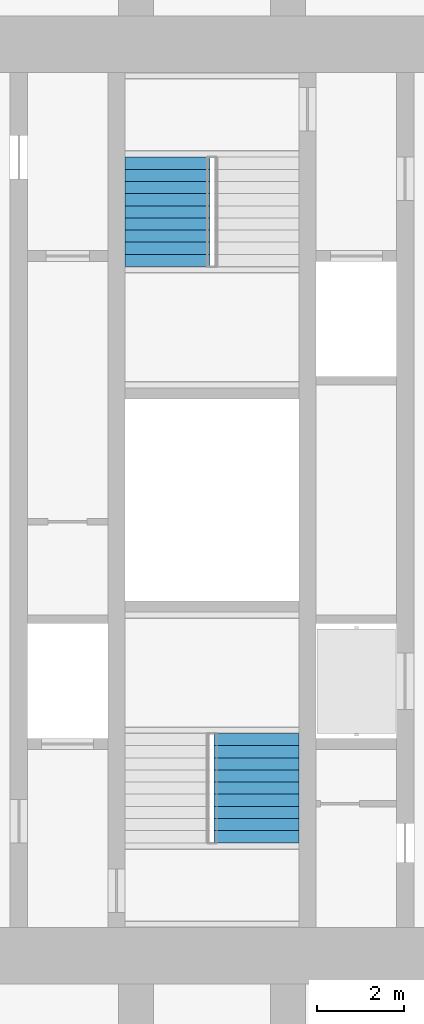
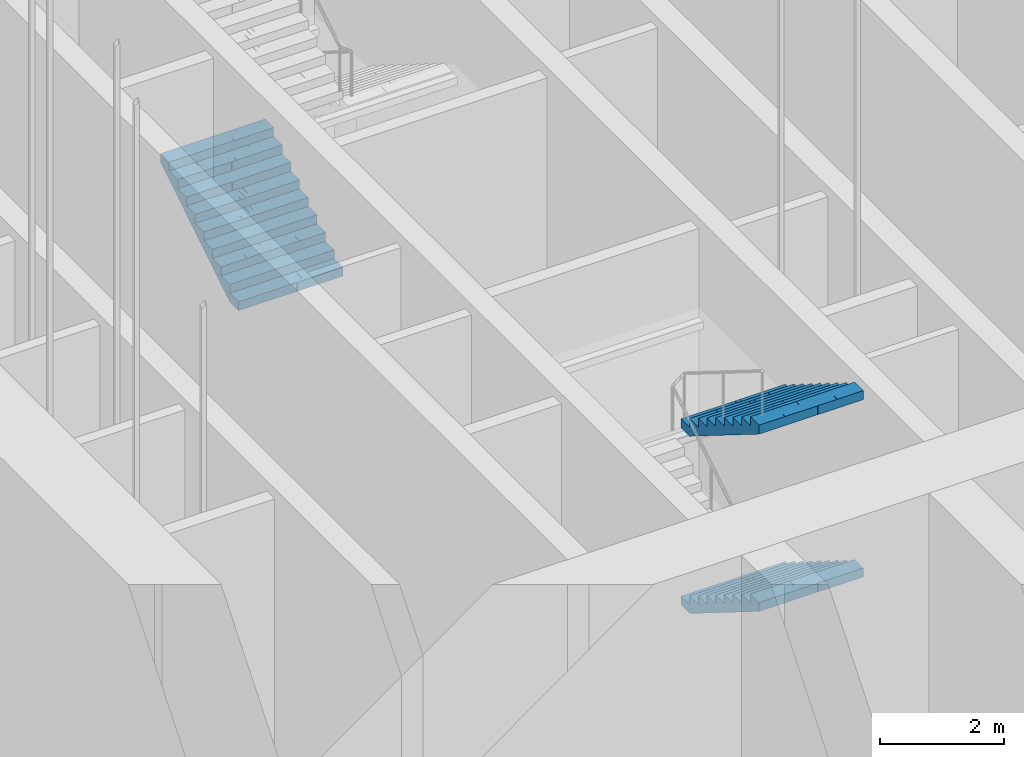
# One storey, part 24 of 43: 3 stair flights, 2 elements without a shape of their own.
"""IFC4 building model written with IfcOpenShell, lengths in metres."""

from ifc_helpers import new_model, si_unit, direction, frame, origin, place, context, subcontext, project, spatial, polyline, outline, extrude, material, type_object, element, aggregate, save


model = new_model("IFC4")

# Units and contexts
model_context = context("Model", 3, precision=1e-05, world=origin(), true_north=direction((0.0, 1.0)))
body_context = subcontext(model_context, "Body", "Model", "MODEL_VIEW")
ifc_project = project(units=[si_unit("LENGTHUNIT", "METRE"), si_unit("AREAUNIT", "SQUARE_METRE"), si_unit("VOLUMEUNIT", "CUBIC_METRE"), si_unit("PLANEANGLEUNIT", "RADIAN"), si_unit("MASSUNIT", "GRAM", prefix="KILO")], contexts=[model_context])

# Site, building, storey
site_placement = place(None, origin())
site = spatial("IfcSite", under=ifc_project, at=site_placement, CompositionType="ELEMENT")
building_placement = place(site_placement, origin())
building = spatial("IfcBuilding", under=site, at=building_placement, Name="Mizan Broadcast Tower", CompositionType="ELEMENT")
storey_placement = place(building_placement, origin())
storey = spatial("IfcBuildingStorey", under=building, at=storey_placement, Name="L00", CompositionType="ELEMENT", Elevation=0.0)

# Stair, stair flights
ifc_material_1 = material(Name="Concrete C40/50", Category="concrete")
stair_type = type_object("IfcStairType", Name="EXIT STAIR", PredefinedType="HALF_TURN_STAIR", material=ifc_material_1)
stair_1_placement = place(storey_placement, origin())
stair_1 = element("IfcStair", 1, at=stair_1_placement, inside=storey, type_object=stair_type, Name="Stair A L00", PredefinedType="HALF_TURN_STAIR")
ifc_material_2 = material(Name="Concrete C40/50", Category="concrete")
stair_flight_type = type_object("IfcStairFlightType", Name="EXIT STAIR FLIGHT", PredefinedType="STRAIGHT", material=ifc_material_2)
stair_flight_1_placement = place(storey_placement, frame((1.02490234375, -5.3798828125, 1.75), z_axis=(0.0, 0.0, 1.0), x_axis=(0.0, -1.0, 0.0)))
stair_flight_1 = element("IfcStairFlight", 2, at=stair_flight_1_placement, type_object=stair_flight_type, Name="A flight 2", NumberOfRisers=10, NumberOfTreads=9, PredefinedType="STRAIGHT", RiserHeight=0.175, TreadLength=0.28, context=body_context, shape_type="SweptSolid", body=[
    extrude(outline(polyline([(0.0, 0.0), (0.0, 0.175048828125), (0.280029296875, 0.175048828125), (0.280029296875, 0.35009765625), (0.56005859375, 0.35009765625), (0.56005859375, 0.52490234375), (0.840087890625, 0.52490234375), (0.840087890625, 0.699951171875), (1.1201171875, 0.699951171875), (1.1201171875, 0.875), (1.39990234375, 0.875), (1.39990234375, 1.050048828125), (1.679931640625, 1.050048828125), (1.679931640625, 1.22509765625), (1.9599609375, 1.22509765625), (1.9599609375, 1.39990234375), (2.239990234375, 1.39990234375), (2.239990234375, 1.574951171875), (2.52001953125, 1.574951171875), (2.52001953125, 1.75), (2.52001953125, 1.398193359375), (0.28271484375, 0.0), (0.0, 0.0)])), frame((0.0, 0.97509765625, 0.0), z_axis=(0.0, -1.0, 0.0), x_axis=(1.0, 0.0, 0.0)), (0.0, 0.0, 1.0), 0.4873046875),
    extrude(outline(polyline([(0.0, 0.0), (0.0, 0.175048828125), (0.280029296875, 0.175048828125), (0.280029296875, 0.35009765625), (0.56005859375, 0.35009765625), (0.56005859375, 0.52490234375), (0.840087890625, 0.52490234375), (0.840087890625, 0.699951171875), (1.1201171875, 0.699951171875), (1.1201171875, 0.875), (1.39990234375, 0.875), (1.39990234375, 1.050048828125), (1.679931640625, 1.050048828125), (1.679931640625, 1.22509765625), (1.9599609375, 1.22509765625), (1.9599609375, 1.39990234375), (2.239990234375, 1.39990234375), (2.239990234375, 1.574951171875), (2.52001953125, 1.574951171875), (2.52001953125, 1.75), (2.52001953125, 1.398193359375), (0.28271484375, 0.0), (0.0, 0.0)])), frame((0.0, 0.4873046875, 0.0), z_axis=(0.0, -1.0, 0.0), x_axis=(1.0, 0.0, 0.0)), (0.0, 0.0, 1.0), 0.2431640625),
    extrude(outline(polyline([(0.0, 0.0), (0.0, 0.175048828125), (0.280029296875, 0.175048828125), (0.280029296875, 0.35009765625), (0.56005859375, 0.35009765625), (0.56005859375, 0.52490234375), (0.840087890625, 0.52490234375), (0.840087890625, 0.699951171875), (1.1201171875, 0.699951171875), (1.1201171875, 0.875), (1.39990234375, 0.875), (1.39990234375, 1.050048828125), (1.679931640625, 1.050048828125), (1.679931640625, 1.22509765625), (1.9599609375, 1.22509765625), (1.9599609375, 1.39990234375), (2.239990234375, 1.39990234375), (2.239990234375, 1.574951171875), (2.52001953125, 1.574951171875), (2.52001953125, 1.75), (2.52001953125, 1.398193359375), (0.28271484375, 0.0), (0.0, 0.0)])), frame((0.0, 0.24365234375, 0.0), z_axis=(0.0, -1.0, 0.0), x_axis=(1.0, 0.0, 0.0)), (0.0, 0.0, 1.0), 0.121337890625),
    extrude(outline(polyline([(0.0, 0.0), (0.0, 0.175048828125), (0.280029296875, 0.175048828125), (0.280029296875, 0.35009765625), (0.56005859375, 0.35009765625), (0.56005859375, 0.52490234375), (0.840087890625, 0.52490234375), (0.840087890625, 0.699951171875), (1.1201171875, 0.699951171875), (1.1201171875, 0.875), (1.39990234375, 0.875), (1.39990234375, 1.050048828125), (1.679931640625, 1.050048828125), (1.679931640625, 1.22509765625), (1.9599609375, 1.22509765625), (1.9599609375, 1.39990234375), (2.239990234375, 1.39990234375), (2.239990234375, 1.574951171875), (2.52001953125, 1.574951171875), (2.52001953125, 1.75), (2.52001953125, 1.398193359375), (0.28271484375, 0.0), (0.0, 0.0)])), frame((0.0, 0.121826171875, 0.0), z_axis=(0.0, -1.0, 0.0), x_axis=(1.0, 0.0, 0.0)), (0.0, 0.0, 1.0), 0.060546875),
    extrude(outline(polyline([(0.0, 0.0), (0.0, 0.175048828125), (0.280029296875, 0.175048828125), (0.280029296875, 0.35009765625), (0.56005859375, 0.35009765625), (0.56005859375, 0.52490234375), (0.840087890625, 0.52490234375), (0.840087890625, 0.699951171875), (1.1201171875, 0.699951171875), (1.1201171875, 0.875), (1.39990234375, 0.875), (1.39990234375, 1.050048828125), (1.679931640625, 1.050048828125), (1.679931640625, 1.22509765625), (1.9599609375, 1.22509765625), (1.9599609375, 1.39990234375), (2.239990234375, 1.39990234375), (2.239990234375, 1.574951171875), (2.52001953125, 1.574951171875), (2.52001953125, 1.75), (2.52001953125, 1.398193359375), (0.28271484375, 0.0), (0.0, 0.0)])), frame((0.0, 0.060791015625, 0.0), z_axis=(0.0, -1.0, 0.0), x_axis=(1.0, 0.0, 0.0)), (0.0, 0.0, 1.0), 0.030029296875),
    extrude(outline(polyline([(0.0, 0.0), (0.0, 0.175048828125), (0.280029296875, 0.175048828125), (0.280029296875, 0.35009765625), (0.56005859375, 0.35009765625), (0.56005859375, 0.52490234375), (0.840087890625, 0.52490234375), (0.840087890625, 0.699951171875), (1.1201171875, 0.699951171875), (1.1201171875, 0.875), (1.39990234375, 0.875), (1.39990234375, 1.050048828125), (1.679931640625, 1.050048828125), (1.679931640625, 1.22509765625), (1.9599609375, 1.22509765625), (1.9599609375, 1.39990234375), (2.239990234375, 1.39990234375), (2.239990234375, 1.574951171875), (2.52001953125, 1.574951171875), (2.52001953125, 1.75), (2.52001953125, 1.398193359375), (0.28271484375, 0.0), (0.0, 0.0)])), frame((0.0, 0.0302734375, 0.0), z_axis=(0.0, -1.0, 0.0), x_axis=(1.0, 0.0, 0.0)), (0.0, 0.0, 1.0), 0.060302734375),
    extrude(outline(polyline([(0.0, 0.0), (0.0, 0.175048828125), (0.280029296875, 0.175048828125), (0.280029296875, 0.35009765625), (0.56005859375, 0.35009765625), (0.56005859375, 0.52490234375), (0.840087890625, 0.52490234375), (0.840087890625, 0.699951171875), (1.1201171875, 0.699951171875), (1.1201171875, 0.875), (1.39990234375, 0.875), (1.39990234375, 1.050048828125), (1.679931640625, 1.050048828125), (1.679931640625, 1.22509765625), (1.9599609375, 1.22509765625), (1.9599609375, 1.39990234375), (2.239990234375, 1.39990234375), (2.239990234375, 1.574951171875), (2.52001953125, 1.574951171875), (2.52001953125, 1.75), (2.52001953125, 1.398193359375), (0.28271484375, 0.0), (0.0, 0.0)])), frame((0.0, -0.030517578125, 0.0), z_axis=(0.0, -1.0, 0.0), x_axis=(1.0, 0.0, 0.0)), (0.0, 0.0, 1.0), 0.030029296875),
    extrude(outline(polyline([(0.0, 0.0), (0.0, 0.175048828125), (0.280029296875, 0.175048828125), (0.280029296875, 0.35009765625), (0.56005859375, 0.35009765625), (0.56005859375, 0.52490234375), (0.840087890625, 0.52490234375), (0.840087890625, 0.699951171875), (1.1201171875, 0.699951171875), (1.1201171875, 0.875), (1.39990234375, 0.875), (1.39990234375, 1.050048828125), (1.679931640625, 1.050048828125), (1.679931640625, 1.22509765625), (1.9599609375, 1.22509765625), (1.9599609375, 1.39990234375), (2.239990234375, 1.39990234375), (2.239990234375, 1.574951171875), (2.52001953125, 1.574951171875), (2.52001953125, 1.75), (2.52001953125, 1.398193359375), (0.28271484375, 0.0), (0.0, 0.0)])), frame((0.0, -0.06103515625, 0.0), z_axis=(0.0, -1.0, 0.0), x_axis=(1.0, 0.0, 0.0)), (0.0, 0.0, 1.0), 0.060546875),
    extrude(outline(polyline([(0.0, 0.0), (0.0, 0.175048828125), (0.280029296875, 0.175048828125), (0.280029296875, 0.35009765625), (0.56005859375, 0.35009765625), (0.56005859375, 0.52490234375), (0.840087890625, 0.52490234375), (0.840087890625, 0.699951171875), (1.1201171875, 0.699951171875), (1.1201171875, 0.875), (1.39990234375, 0.875), (1.39990234375, 1.050048828125), (1.679931640625, 1.050048828125), (1.679931640625, 1.22509765625), (1.9599609375, 1.22509765625), (1.9599609375, 1.39990234375), (2.239990234375, 1.39990234375), (2.239990234375, 1.574951171875), (2.52001953125, 1.574951171875), (2.52001953125, 1.75), (2.52001953125, 1.398193359375), (0.28271484375, 0.0), (0.0, 0.0)])), frame((0.0, -0.1220703125, 0.0), z_axis=(0.0, -1.0, 0.0), x_axis=(1.0, 0.0, 0.0)), (0.0, 0.0, 1.0), 0.121337890625),
    extrude(outline(polyline([(0.0, 0.0), (0.0, 0.175048828125), (0.280029296875, 0.175048828125), (0.280029296875, 0.35009765625), (0.56005859375, 0.35009765625), (0.56005859375, 0.52490234375), (0.840087890625, 0.52490234375), (0.840087890625, 0.699951171875), (1.1201171875, 0.699951171875), (1.1201171875, 0.875), (1.39990234375, 0.875), (1.39990234375, 1.050048828125), (1.679931640625, 1.050048828125), (1.679931640625, 1.22509765625), (1.9599609375, 1.22509765625), (1.9599609375, 1.39990234375), (2.239990234375, 1.39990234375), (2.239990234375, 1.574951171875), (2.52001953125, 1.574951171875), (2.52001953125, 1.75), (2.52001953125, 1.398193359375), (0.28271484375, 0.0), (0.0, 0.0)])), frame((0.0, -0.243896484375, 0.0), z_axis=(0.0, -1.0, 0.0), x_axis=(1.0, 0.0, 0.0)), (0.0, 0.0, 1.0), 0.2431640625),
    extrude(outline(polyline([(0.0, 0.0), (0.0, 0.175048828125), (0.280029296875, 0.175048828125), (0.280029296875, 0.35009765625), (0.56005859375, 0.35009765625), (0.56005859375, 0.52490234375), (0.840087890625, 0.52490234375), (0.840087890625, 0.699951171875), (1.1201171875, 0.699951171875), (1.1201171875, 0.875), (1.39990234375, 0.875), (1.39990234375, 1.050048828125), (1.679931640625, 1.050048828125), (1.679931640625, 1.22509765625), (1.9599609375, 1.22509765625), (1.9599609375, 1.39990234375), (2.239990234375, 1.39990234375), (2.239990234375, 1.574951171875), (2.52001953125, 1.574951171875), (2.52001953125, 1.75), (2.52001953125, 1.398193359375), (0.28271484375, 0.0), (0.0, 0.0)])), frame((0.0, -0.487548828125, 0.0), z_axis=(0.0, -1.0, 0.0), x_axis=(1.0, 0.0, 0.0)), (0.0, 0.0, 1.0), 0.4873046875),
])
stair_flight_2_placement = place(storey_placement, frame((1.02490234375, -5.3798828125, 5.25), z_axis=(0.0, 0.0, 1.0), x_axis=(0.0, -1.0, 0.0)))
stair_flight_2 = element("IfcStairFlight", 3, at=stair_flight_2_placement, type_object=stair_flight_type, Name="A flight 4", NumberOfRisers=10, NumberOfTreads=9, PredefinedType="STRAIGHT", RiserHeight=0.175, TreadLength=0.28, context=body_context, shape_type="SweptSolid", body=[
    extrude(outline(polyline([(0.0, 0.0), (0.0, 0.175048828125), (0.280029296875, 0.175048828125), (0.280029296875, 0.35009765625), (0.56005859375, 0.35009765625), (0.56005859375, 0.52490234375), (0.840087890625, 0.52490234375), (0.840087890625, 0.699951171875), (1.1201171875, 0.699951171875), (1.1201171875, 0.875), (1.39990234375, 0.875), (1.39990234375, 1.050048828125), (1.679931640625, 1.050048828125), (1.679931640625, 1.22509765625), (1.9599609375, 1.22509765625), (1.9599609375, 1.39990234375), (2.239990234375, 1.39990234375), (2.239990234375, 1.574951171875), (2.52001953125, 1.574951171875), (2.52001953125, 1.75), (2.52001953125, 1.398193359375), (0.28271484375, 0.0), (0.0, 0.0)])), frame((0.0, 0.97509765625, 0.0), z_axis=(0.0, -1.0, 0.0), x_axis=(1.0, 0.0, 0.0)), (0.0, 0.0, 1.0), 0.4873046875),
    extrude(outline(polyline([(0.0, 0.0), (0.0, 0.175048828125), (0.280029296875, 0.175048828125), (0.280029296875, 0.35009765625), (0.56005859375, 0.35009765625), (0.56005859375, 0.52490234375), (0.840087890625, 0.52490234375), (0.840087890625, 0.699951171875), (1.1201171875, 0.699951171875), (1.1201171875, 0.875), (1.39990234375, 0.875), (1.39990234375, 1.050048828125), (1.679931640625, 1.050048828125), (1.679931640625, 1.22509765625), (1.9599609375, 1.22509765625), (1.9599609375, 1.39990234375), (2.239990234375, 1.39990234375), (2.239990234375, 1.574951171875), (2.52001953125, 1.574951171875), (2.52001953125, 1.75), (2.52001953125, 1.398193359375), (0.28271484375, 0.0), (0.0, 0.0)])), frame((0.0, 0.4873046875, 0.0), z_axis=(0.0, -1.0, 0.0), x_axis=(1.0, 0.0, 0.0)), (0.0, 0.0, 1.0), 0.2431640625),
    extrude(outline(polyline([(0.0, 0.0), (0.0, 0.175048828125), (0.280029296875, 0.175048828125), (0.280029296875, 0.35009765625), (0.56005859375, 0.35009765625), (0.56005859375, 0.52490234375), (0.840087890625, 0.52490234375), (0.840087890625, 0.699951171875), (1.1201171875, 0.699951171875), (1.1201171875, 0.875), (1.39990234375, 0.875), (1.39990234375, 1.050048828125), (1.679931640625, 1.050048828125), (1.679931640625, 1.22509765625), (1.9599609375, 1.22509765625), (1.9599609375, 1.39990234375), (2.239990234375, 1.39990234375), (2.239990234375, 1.574951171875), (2.52001953125, 1.574951171875), (2.52001953125, 1.75), (2.52001953125, 1.398193359375), (0.28271484375, 0.0), (0.0, 0.0)])), frame((0.0, 0.24365234375, 0.0), z_axis=(0.0, -1.0, 0.0), x_axis=(1.0, 0.0, 0.0)), (0.0, 0.0, 1.0), 0.121337890625),
    extrude(outline(polyline([(0.0, 0.0), (0.0, 0.175048828125), (0.280029296875, 0.175048828125), (0.280029296875, 0.35009765625), (0.56005859375, 0.35009765625), (0.56005859375, 0.52490234375), (0.840087890625, 0.52490234375), (0.840087890625, 0.699951171875), (1.1201171875, 0.699951171875), (1.1201171875, 0.875), (1.39990234375, 0.875), (1.39990234375, 1.050048828125), (1.679931640625, 1.050048828125), (1.679931640625, 1.22509765625), (1.9599609375, 1.22509765625), (1.9599609375, 1.39990234375), (2.239990234375, 1.39990234375), (2.239990234375, 1.574951171875), (2.52001953125, 1.574951171875), (2.52001953125, 1.75), (2.52001953125, 1.398193359375), (0.28271484375, 0.0), (0.0, 0.0)])), frame((0.0, 0.121826171875, 0.0), z_axis=(0.0, -1.0, 0.0), x_axis=(1.0, 0.0, 0.0)), (0.0, 0.0, 1.0), 0.060546875),
    extrude(outline(polyline([(0.0, 0.0), (0.0, 0.175048828125), (0.280029296875, 0.175048828125), (0.280029296875, 0.35009765625), (0.56005859375, 0.35009765625), (0.56005859375, 0.52490234375), (0.840087890625, 0.52490234375), (0.840087890625, 0.699951171875), (1.1201171875, 0.699951171875), (1.1201171875, 0.875), (1.39990234375, 0.875), (1.39990234375, 1.050048828125), (1.679931640625, 1.050048828125), (1.679931640625, 1.22509765625), (1.9599609375, 1.22509765625), (1.9599609375, 1.39990234375), (2.239990234375, 1.39990234375), (2.239990234375, 1.574951171875), (2.52001953125, 1.574951171875), (2.52001953125, 1.75), (2.52001953125, 1.398193359375), (0.28271484375, 0.0), (0.0, 0.0)])), frame((0.0, 0.060791015625, 0.0), z_axis=(0.0, -1.0, 0.0), x_axis=(1.0, 0.0, 0.0)), (0.0, 0.0, 1.0), 0.030029296875),
    extrude(outline(polyline([(0.0, 0.0), (0.0, 0.175048828125), (0.280029296875, 0.175048828125), (0.280029296875, 0.35009765625), (0.56005859375, 0.35009765625), (0.56005859375, 0.52490234375), (0.840087890625, 0.52490234375), (0.840087890625, 0.699951171875), (1.1201171875, 0.699951171875), (1.1201171875, 0.875), (1.39990234375, 0.875), (1.39990234375, 1.050048828125), (1.679931640625, 1.050048828125), (1.679931640625, 1.22509765625), (1.9599609375, 1.22509765625), (1.9599609375, 1.39990234375), (2.239990234375, 1.39990234375), (2.239990234375, 1.574951171875), (2.52001953125, 1.574951171875), (2.52001953125, 1.75), (2.52001953125, 1.398193359375), (0.28271484375, 0.0), (0.0, 0.0)])), frame((0.0, 0.0302734375, 0.0), z_axis=(0.0, -1.0, 0.0), x_axis=(1.0, 0.0, 0.0)), (0.0, 0.0, 1.0), 0.060302734375),
    extrude(outline(polyline([(0.0, 0.0), (0.0, 0.175048828125), (0.280029296875, 0.175048828125), (0.280029296875, 0.35009765625), (0.56005859375, 0.35009765625), (0.56005859375, 0.52490234375), (0.840087890625, 0.52490234375), (0.840087890625, 0.699951171875), (1.1201171875, 0.699951171875), (1.1201171875, 0.875), (1.39990234375, 0.875), (1.39990234375, 1.050048828125), (1.679931640625, 1.050048828125), (1.679931640625, 1.22509765625), (1.9599609375, 1.22509765625), (1.9599609375, 1.39990234375), (2.239990234375, 1.39990234375), (2.239990234375, 1.574951171875), (2.52001953125, 1.574951171875), (2.52001953125, 1.75), (2.52001953125, 1.398193359375), (0.28271484375, 0.0), (0.0, 0.0)])), frame((0.0, -0.030517578125, 0.0), z_axis=(0.0, -1.0, 0.0), x_axis=(1.0, 0.0, 0.0)), (0.0, 0.0, 1.0), 0.030029296875),
    extrude(outline(polyline([(0.0, 0.0), (0.0, 0.175048828125), (0.280029296875, 0.175048828125), (0.280029296875, 0.35009765625), (0.56005859375, 0.35009765625), (0.56005859375, 0.52490234375), (0.840087890625, 0.52490234375), (0.840087890625, 0.699951171875), (1.1201171875, 0.699951171875), (1.1201171875, 0.875), (1.39990234375, 0.875), (1.39990234375, 1.050048828125), (1.679931640625, 1.050048828125), (1.679931640625, 1.22509765625), (1.9599609375, 1.22509765625), (1.9599609375, 1.39990234375), (2.239990234375, 1.39990234375), (2.239990234375, 1.574951171875), (2.52001953125, 1.574951171875), (2.52001953125, 1.75), (2.52001953125, 1.398193359375), (0.28271484375, 0.0), (0.0, 0.0)])), frame((0.0, -0.06103515625, 0.0), z_axis=(0.0, -1.0, 0.0), x_axis=(1.0, 0.0, 0.0)), (0.0, 0.0, 1.0), 0.060546875),
    extrude(outline(polyline([(0.0, 0.0), (0.0, 0.175048828125), (0.280029296875, 0.175048828125), (0.280029296875, 0.35009765625), (0.56005859375, 0.35009765625), (0.56005859375, 0.52490234375), (0.840087890625, 0.52490234375), (0.840087890625, 0.699951171875), (1.1201171875, 0.699951171875), (1.1201171875, 0.875), (1.39990234375, 0.875), (1.39990234375, 1.050048828125), (1.679931640625, 1.050048828125), (1.679931640625, 1.22509765625), (1.9599609375, 1.22509765625), (1.9599609375, 1.39990234375), (2.239990234375, 1.39990234375), (2.239990234375, 1.574951171875), (2.52001953125, 1.574951171875), (2.52001953125, 1.75), (2.52001953125, 1.398193359375), (0.28271484375, 0.0), (0.0, 0.0)])), frame((0.0, -0.1220703125, 0.0), z_axis=(0.0, -1.0, 0.0), x_axis=(1.0, 0.0, 0.0)), (0.0, 0.0, 1.0), 0.121337890625),
    extrude(outline(polyline([(0.0, 0.0), (0.0, 0.175048828125), (0.280029296875, 0.175048828125), (0.280029296875, 0.35009765625), (0.56005859375, 0.35009765625), (0.56005859375, 0.52490234375), (0.840087890625, 0.52490234375), (0.840087890625, 0.699951171875), (1.1201171875, 0.699951171875), (1.1201171875, 0.875), (1.39990234375, 0.875), (1.39990234375, 1.050048828125), (1.679931640625, 1.050048828125), (1.679931640625, 1.22509765625), (1.9599609375, 1.22509765625), (1.9599609375, 1.39990234375), (2.239990234375, 1.39990234375), (2.239990234375, 1.574951171875), (2.52001953125, 1.574951171875), (2.52001953125, 1.75), (2.52001953125, 1.398193359375), (0.28271484375, 0.0), (0.0, 0.0)])), frame((0.0, -0.243896484375, 0.0), z_axis=(0.0, -1.0, 0.0), x_axis=(1.0, 0.0, 0.0)), (0.0, 0.0, 1.0), 0.2431640625),
    extrude(outline(polyline([(0.0, 0.0), (0.0, 0.175048828125), (0.280029296875, 0.175048828125), (0.280029296875, 0.35009765625), (0.56005859375, 0.35009765625), (0.56005859375, 0.52490234375), (0.840087890625, 0.52490234375), (0.840087890625, 0.699951171875), (1.1201171875, 0.699951171875), (1.1201171875, 0.875), (1.39990234375, 0.875), (1.39990234375, 1.050048828125), (1.679931640625, 1.050048828125), (1.679931640625, 1.22509765625), (1.9599609375, 1.22509765625), (1.9599609375, 1.39990234375), (2.239990234375, 1.39990234375), (2.239990234375, 1.574951171875), (2.52001953125, 1.574951171875), (2.52001953125, 1.75), (2.52001953125, 1.398193359375), (0.28271484375, 0.0), (0.0, 0.0)])), frame((0.0, -0.487548828125, 0.0), z_axis=(0.0, -1.0, 0.0), x_axis=(1.0, 0.0, 0.0)), (0.0, 0.0, 1.0), 0.4873046875),
])
aggregate(stair_1, [stair_flight_1, stair_flight_2])

# Stair, stair flight
stair_2_placement = place(storey_placement, origin())
stair_2 = element("IfcStair", 4, at=stair_2_placement, inside=storey, type_object=stair_type, Name="Stair B L00", PredefinedType="HALF_TURN_STAIR")
stair_flight_3_placement = place(storey_placement, frame((-1.02490234375, 5.3798828125, 1.75), z_axis=(0.0, 0.0, 1.0), x_axis=(0.0, 1.0, 0.0)))
stair_flight_3 = element("IfcStairFlight", 5, at=stair_flight_3_placement, type_object=stair_flight_type, Name="B flight 2", NumberOfRisers=10, NumberOfTreads=9, PredefinedType="STRAIGHT", RiserHeight=0.175, TreadLength=0.28, context=body_context, shape_type="SweptSolid", body=[
    extrude(outline(polyline([(0.0, 0.0), (0.0, 0.175048828125), (0.280029296875, 0.175048828125), (0.280029296875, 0.35009765625), (0.56005859375, 0.35009765625), (0.56005859375, 0.52490234375), (0.840087890625, 0.52490234375), (0.840087890625, 0.699951171875), (1.1201171875, 0.699951171875), (1.1201171875, 0.875), (1.39990234375, 0.875), (1.39990234375, 1.050048828125), (1.679931640625, 1.050048828125), (1.679931640625, 1.22509765625), (1.9599609375, 1.22509765625), (1.9599609375, 1.39990234375), (2.239990234375, 1.39990234375), (2.239990234375, 1.574951171875), (2.52001953125, 1.574951171875), (2.52001953125, 1.75), (2.52001953125, 1.398193359375), (0.28271484375, 0.0), (0.0, 0.0)])), frame((0.0, 0.97509765625, 0.0), z_axis=(0.0, -1.0, 0.0), x_axis=(1.0, 0.0, 0.0)), (0.0, 0.0, 1.0), 0.4873046875),
    extrude(outline(polyline([(0.0, 0.0), (0.0, 0.175048828125), (0.280029296875, 0.175048828125), (0.280029296875, 0.35009765625), (0.56005859375, 0.35009765625), (0.56005859375, 0.52490234375), (0.840087890625, 0.52490234375), (0.840087890625, 0.699951171875), (1.1201171875, 0.699951171875), (1.1201171875, 0.875), (1.39990234375, 0.875), (1.39990234375, 1.050048828125), (1.679931640625, 1.050048828125), (1.679931640625, 1.22509765625), (1.9599609375, 1.22509765625), (1.9599609375, 1.39990234375), (2.239990234375, 1.39990234375), (2.239990234375, 1.574951171875), (2.52001953125, 1.574951171875), (2.52001953125, 1.75), (2.52001953125, 1.398193359375), (0.28271484375, 0.0), (0.0, 0.0)])), frame((0.0, 0.4873046875, 0.0), z_axis=(0.0, -1.0, 0.0), x_axis=(1.0, 0.0, 0.0)), (0.0, 0.0, 1.0), 0.2431640625),
    extrude(outline(polyline([(0.0, 0.0), (0.0, 0.175048828125), (0.280029296875, 0.175048828125), (0.280029296875, 0.35009765625), (0.56005859375, 0.35009765625), (0.56005859375, 0.52490234375), (0.840087890625, 0.52490234375), (0.840087890625, 0.699951171875), (1.1201171875, 0.699951171875), (1.1201171875, 0.875), (1.39990234375, 0.875), (1.39990234375, 1.050048828125), (1.679931640625, 1.050048828125), (1.679931640625, 1.22509765625), (1.9599609375, 1.22509765625), (1.9599609375, 1.39990234375), (2.239990234375, 1.39990234375), (2.239990234375, 1.574951171875), (2.52001953125, 1.574951171875), (2.52001953125, 1.75), (2.52001953125, 1.398193359375), (0.28271484375, 0.0), (0.0, 0.0)])), frame((0.0, 0.24365234375, 0.0), z_axis=(0.0, -1.0, 0.0), x_axis=(1.0, 0.0, 0.0)), (0.0, 0.0, 1.0), 0.121337890625),
    extrude(outline(polyline([(0.0, 0.0), (0.0, 0.175048828125), (0.280029296875, 0.175048828125), (0.280029296875, 0.35009765625), (0.56005859375, 0.35009765625), (0.56005859375, 0.52490234375), (0.840087890625, 0.52490234375), (0.840087890625, 0.699951171875), (1.1201171875, 0.699951171875), (1.1201171875, 0.875), (1.39990234375, 0.875), (1.39990234375, 1.050048828125), (1.679931640625, 1.050048828125), (1.679931640625, 1.22509765625), (1.9599609375, 1.22509765625), (1.9599609375, 1.39990234375), (2.239990234375, 1.39990234375), (2.239990234375, 1.574951171875), (2.52001953125, 1.574951171875), (2.52001953125, 1.75), (2.52001953125, 1.398193359375), (0.28271484375, 0.0), (0.0, 0.0)])), frame((0.0, 0.121826171875, 0.0), z_axis=(0.0, -1.0, 0.0), x_axis=(1.0, 0.0, 0.0)), (0.0, 0.0, 1.0), 0.060546875),
    extrude(outline(polyline([(0.0, 0.0), (0.0, 0.175048828125), (0.280029296875, 0.175048828125), (0.280029296875, 0.35009765625), (0.56005859375, 0.35009765625), (0.56005859375, 0.52490234375), (0.840087890625, 0.52490234375), (0.840087890625, 0.699951171875), (1.1201171875, 0.699951171875), (1.1201171875, 0.875), (1.39990234375, 0.875), (1.39990234375, 1.050048828125), (1.679931640625, 1.050048828125), (1.679931640625, 1.22509765625), (1.9599609375, 1.22509765625), (1.9599609375, 1.39990234375), (2.239990234375, 1.39990234375), (2.239990234375, 1.574951171875), (2.52001953125, 1.574951171875), (2.52001953125, 1.75), (2.52001953125, 1.398193359375), (0.28271484375, 0.0), (0.0, 0.0)])), frame((0.0, 0.060791015625, 0.0), z_axis=(0.0, -1.0, 0.0), x_axis=(1.0, 0.0, 0.0)), (0.0, 0.0, 1.0), 0.030029296875),
    extrude(outline(polyline([(0.0, 0.0), (0.0, 0.175048828125), (0.280029296875, 0.175048828125), (0.280029296875, 0.35009765625), (0.56005859375, 0.35009765625), (0.56005859375, 0.52490234375), (0.840087890625, 0.52490234375), (0.840087890625, 0.699951171875), (1.1201171875, 0.699951171875), (1.1201171875, 0.875), (1.39990234375, 0.875), (1.39990234375, 1.050048828125), (1.679931640625, 1.050048828125), (1.679931640625, 1.22509765625), (1.9599609375, 1.22509765625), (1.9599609375, 1.39990234375), (2.239990234375, 1.39990234375), (2.239990234375, 1.574951171875), (2.52001953125, 1.574951171875), (2.52001953125, 1.75), (2.52001953125, 1.398193359375), (0.28271484375, 0.0), (0.0, 0.0)])), frame((0.0, 0.0302734375, 0.0), z_axis=(0.0, -1.0, 0.0), x_axis=(1.0, 0.0, 0.0)), (0.0, 0.0, 1.0), 0.060302734375),
    extrude(outline(polyline([(0.0, 0.0), (0.0, 0.175048828125), (0.280029296875, 0.175048828125), (0.280029296875, 0.35009765625), (0.56005859375, 0.35009765625), (0.56005859375, 0.52490234375), (0.840087890625, 0.52490234375), (0.840087890625, 0.699951171875), (1.1201171875, 0.699951171875), (1.1201171875, 0.875), (1.39990234375, 0.875), (1.39990234375, 1.050048828125), (1.679931640625, 1.050048828125), (1.679931640625, 1.22509765625), (1.9599609375, 1.22509765625), (1.9599609375, 1.39990234375), (2.239990234375, 1.39990234375), (2.239990234375, 1.574951171875), (2.52001953125, 1.574951171875), (2.52001953125, 1.75), (2.52001953125, 1.398193359375), (0.28271484375, 0.0), (0.0, 0.0)])), frame((0.0, -0.030517578125, 0.0), z_axis=(0.0, -1.0, 0.0), x_axis=(1.0, 0.0, 0.0)), (0.0, 0.0, 1.0), 0.030029296875),
    extrude(outline(polyline([(0.0, 0.0), (0.0, 0.175048828125), (0.280029296875, 0.175048828125), (0.280029296875, 0.35009765625), (0.56005859375, 0.35009765625), (0.56005859375, 0.52490234375), (0.840087890625, 0.52490234375), (0.840087890625, 0.699951171875), (1.1201171875, 0.699951171875), (1.1201171875, 0.875), (1.39990234375, 0.875), (1.39990234375, 1.050048828125), (1.679931640625, 1.050048828125), (1.679931640625, 1.22509765625), (1.9599609375, 1.22509765625), (1.9599609375, 1.39990234375), (2.239990234375, 1.39990234375), (2.239990234375, 1.574951171875), (2.52001953125, 1.574951171875), (2.52001953125, 1.75), (2.52001953125, 1.398193359375), (0.28271484375, 0.0), (0.0, 0.0)])), frame((0.0, -0.06103515625, 0.0), z_axis=(0.0, -1.0, 0.0), x_axis=(1.0, 0.0, 0.0)), (0.0, 0.0, 1.0), 0.060546875),
    extrude(outline(polyline([(0.0, 0.0), (0.0, 0.175048828125), (0.280029296875, 0.175048828125), (0.280029296875, 0.35009765625), (0.56005859375, 0.35009765625), (0.56005859375, 0.52490234375), (0.840087890625, 0.52490234375), (0.840087890625, 0.699951171875), (1.1201171875, 0.699951171875), (1.1201171875, 0.875), (1.39990234375, 0.875), (1.39990234375, 1.050048828125), (1.679931640625, 1.050048828125), (1.679931640625, 1.22509765625), (1.9599609375, 1.22509765625), (1.9599609375, 1.39990234375), (2.239990234375, 1.39990234375), (2.239990234375, 1.574951171875), (2.52001953125, 1.574951171875), (2.52001953125, 1.75), (2.52001953125, 1.398193359375), (0.28271484375, 0.0), (0.0, 0.0)])), frame((0.0, -0.1220703125, 0.0), z_axis=(0.0, -1.0, 0.0), x_axis=(1.0, 0.0, 0.0)), (0.0, 0.0, 1.0), 0.121337890625),
    extrude(outline(polyline([(0.0, 0.0), (0.0, 0.175048828125), (0.280029296875, 0.175048828125), (0.280029296875, 0.35009765625), (0.56005859375, 0.35009765625), (0.56005859375, 0.52490234375), (0.840087890625, 0.52490234375), (0.840087890625, 0.699951171875), (1.1201171875, 0.699951171875), (1.1201171875, 0.875), (1.39990234375, 0.875), (1.39990234375, 1.050048828125), (1.679931640625, 1.050048828125), (1.679931640625, 1.22509765625), (1.9599609375, 1.22509765625), (1.9599609375, 1.39990234375), (2.239990234375, 1.39990234375), (2.239990234375, 1.574951171875), (2.52001953125, 1.574951171875), (2.52001953125, 1.75), (2.52001953125, 1.398193359375), (0.28271484375, 0.0), (0.0, 0.0)])), frame((0.0, -0.243896484375, 0.0), z_axis=(0.0, -1.0, 0.0), x_axis=(1.0, 0.0, 0.0)), (0.0, 0.0, 1.0), 0.2431640625),
    extrude(outline(polyline([(0.0, 0.0), (0.0, 0.175048828125), (0.280029296875, 0.175048828125), (0.280029296875, 0.35009765625), (0.56005859375, 0.35009765625), (0.56005859375, 0.52490234375), (0.840087890625, 0.52490234375), (0.840087890625, 0.699951171875), (1.1201171875, 0.699951171875), (1.1201171875, 0.875), (1.39990234375, 0.875), (1.39990234375, 1.050048828125), (1.679931640625, 1.050048828125), (1.679931640625, 1.22509765625), (1.9599609375, 1.22509765625), (1.9599609375, 1.39990234375), (2.239990234375, 1.39990234375), (2.239990234375, 1.574951171875), (2.52001953125, 1.574951171875), (2.52001953125, 1.75), (2.52001953125, 1.398193359375), (0.28271484375, 0.0), (0.0, 0.0)])), frame((0.0, -0.487548828125, 0.0), z_axis=(0.0, -1.0, 0.0), x_axis=(1.0, 0.0, 0.0)), (0.0, 0.0, 1.0), 0.4873046875),
])
aggregate(stair_2, [stair_flight_3])

save(model, "model.ifc")
